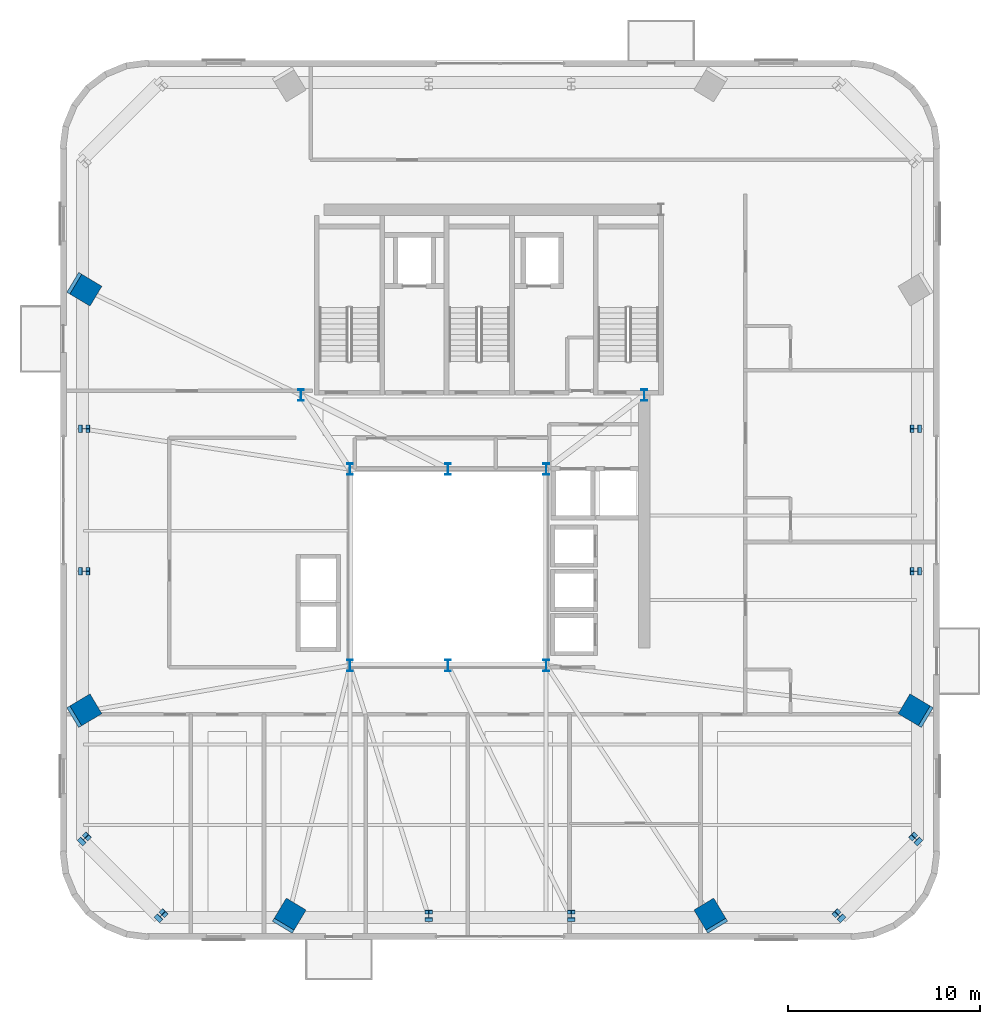
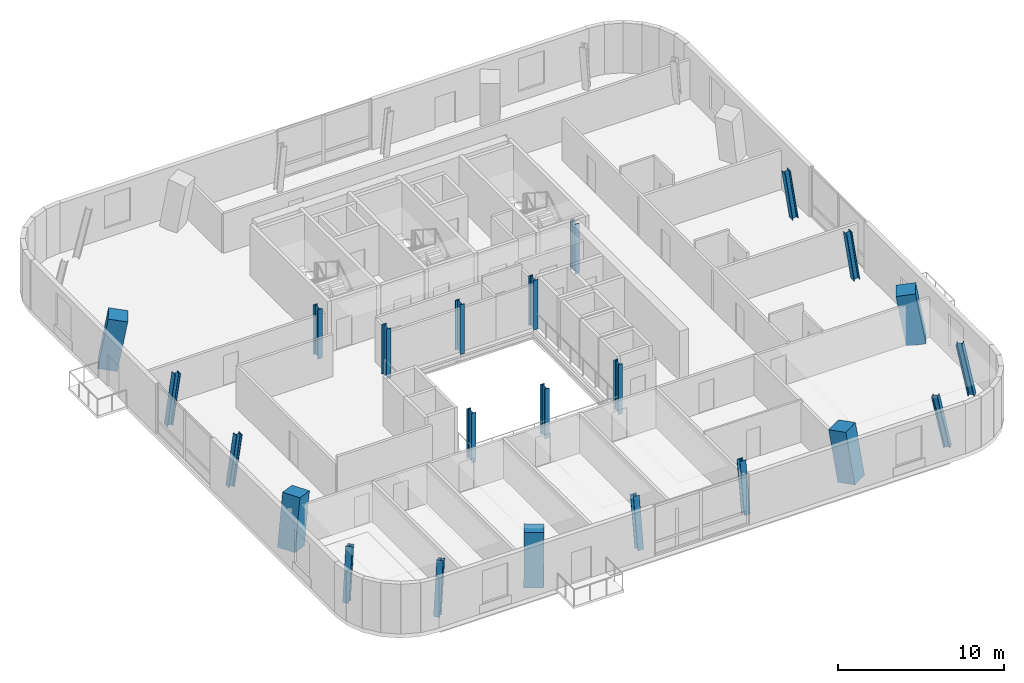
# One storey, part 1 of 15: 23 columns.
"""IFC4 building model written with IfcOpenShell, lengths in metres."""

from ifc_helpers import new_model, si_unit, direction, frame, origin, origin_2d, place, context, subcontext, project, spatial, rectangle, i_section, extrude, source, transform, mapped, material, material_profile, profile_set, type_object, element, save


model = new_model("IFC4")

# Units and contexts
model_context = context("Model", 3, precision=1e-05, world=origin(), true_north=direction((0.0, 1.0)))
body_context = subcontext(model_context, "Body", "Model", "MODEL_VIEW")
ifc_project = project(units=[si_unit("LENGTHUNIT", "METRE"), si_unit("AREAUNIT", "SQUARE_METRE"), si_unit("VOLUMEUNIT", "CUBIC_METRE"), si_unit("PLANEANGLEUNIT", "RADIAN"), si_unit("MASSUNIT", "GRAM", prefix="KILO")], contexts=[model_context])

# Site, building, storey
site_placement = place(None, origin())
site = spatial("IfcSite", under=ifc_project, at=site_placement, CompositionType="ELEMENT")
building_placement = place(site_placement, origin())
building = spatial("IfcBuilding", under=site, at=building_placement, Name="Vardaveli Station Tower", CompositionType="ELEMENT")
storey_placement = place(building_placement, frame((0.0, 0.0, 258.5)))
storey = spatial("IfcBuildingStorey", under=building, at=storey_placement, Name="L66", CompositionType="ELEMENT", Elevation=258.5)

# Columns
ifc_material_1 = material(Name="Structural steel S460M", Category="steel")
ifc_material_profile_1 = material_profile(ifc_material_1, i_section(OverallWidth=0.300048828125, OverallDepth=0.60009765625, WebThickness=0.015380859375, FlangeThickness=0.030029296875, FilletRadius=0.027099609375, at=origin_2d()), Name="HEB 600")
ifc_profile_set_1 = profile_set([ifc_material_profile_1], Name="Structural steel S460M")
column_type_1 = type_object("IfcColumnType", Name="COL-HEB600", PredefinedType="COLUMN", material=ifc_profile_set_1)
shared_shape_1 = source(origin(), body_context, "Body", "SweptSolid", [
    extrude(i_section(OverallWidth=0.300048828125, OverallDepth=0.60009765625, WebThickness=0.015380859375, FlangeThickness=0.030029296875, FilletRadius=0.027099609375, at=origin_2d()), origin(), (0.0, 0.0, 1.0), 3.64990234375),
])
for number, where, z_axis, x_axis, name in (
    (1, (31.199951171875, 16.60009765625, 0.0), (0.0, 0.0, 1.0), (1.0, 0.0, 0.0), "COL-L66-AC1"),
    (2, (36.300048828125, 16.60009765625, 0.0), (0.0, 0.0, 1.0), (1.0, 0.0, 0.0), "COL-L66-AC2"),
    (3, (41.39990234375, 16.60009765625, 0.0), (0.0, 0.0, 1.0), (1.0, 0.0, 0.0), "COL-L66-AC3"),
    (4, (41.39990234375, 26.800048828125, 0.0), (0.0, 0.0, 1.0), (1.0, 0.0, 0.0), "COL-L66-AC4"),
    (5, (36.300048828125, 26.800048828125, 0.0), (0.0, 0.0, 1.0), (1.0, 0.0, 0.0), "COL-L66-AC5"),
    (6, (31.199951171875, 26.800048828125, 0.0), (0.0, 0.0, 1.0), (1.0, 0.0, 0.0), "COL-L66-AC6"),
    (7, (28.64990234375, 30.64990234375, 0.0), (0.0, 0.0, 1.0), (1.0, 0.0, 0.0), "COL-L66-CC1"),
    (8, (46.5, 30.64990234375, 0.0), (0.0, 0.0, 1.0), (1.0, 0.0, 0.0), "COL-L66-CC2"),
):
    element("IfcColumn", number, at=place(storey_placement, frame(where, z_axis=z_axis, x_axis=x_axis)), inside=storey, type_object=column_type_1, Name=name, PredefinedType="COLUMN", context=body_context, shape_type="MappedRepresentation", body=[
        mapped(shared_shape_1, transform((0.0, 0.0, 0.0), scale=1.0)),
    ])
ifc_material_2 = material(Name="Concrete C50/60", Category="concrete")
ifc_material_profile_2 = material_profile(ifc_material_2, rectangle(XDim=1.199951171875, YDim=1.199951171875, at=origin_2d()), Name="MC 1200x1200")
ifc_profile_set_2 = profile_set([ifc_material_profile_2], Name="Concrete C50/60")
column_type_2 = type_object("IfcColumnType", Name="COL-MC-1200", PredefinedType="COLUMN", material=ifc_profile_set_2)
shared_shape_2 = source(origin(), body_context, "Body", "SweptSolid", [
    extrude(rectangle(XDim=1.199951171875, YDim=1.199951171875, at=origin_2d()), origin(), (0.0, 0.0, 1.0), 3.703857421875),
])
for number, where, z_axis, x_axis, name in (
    (9, (27.98388671875, 3.489990234375, 0.0), (0.087535469942, 0.145804562886, 0.985433189488), (-0.857356097812, 0.514723733225, 0.0), "COL-L66-MC1"),
    (10, (50.01611328125, 3.489990234375, 0.0), (-0.087535469942, 0.145804562886, 0.985433189488), (-0.857356097812, -0.514723733225, 0.0), "COL-L66-MC2"),
    (11, (60.7099609375, 14.18408203125, 0.0), (-0.145805403858, 0.087470059186, 0.98543887327), (-0.514438743924, -0.857527130037, 0.0), "COL-L66-MC3"),
    (12, (17.2900390625, 36.216064453125, 0.0), (0.145805403858, -0.087470059186, 0.98543887327), (0.514438743924, 0.857527130037, 0.0), "COL-L66-MC7"),
    (13, (17.2900390625, 14.18408203125, 0.0), (0.145805403858, 0.087470059186, 0.98543887327), (-0.514438743924, 0.857527130037, 0.0), "COL-L66-MC8"),
):
    element("IfcColumn", number, at=place(storey_placement, frame(where, z_axis=z_axis, x_axis=x_axis)), inside=storey, type_object=column_type_2, Name=name, PredefinedType="COLUMN", context=body_context, shape_type="MappedRepresentation", body=[
        mapped(shared_shape_2, transform((0.0, 0.0, 0.0), scale=1.0)),
    ])
ifc_material_profile_3 = material_profile(ifc_material_1, i_section(OverallWidth=0.405029296875, OverallDepth=0.403076171875, WebThickness=0.017822265625, FlangeThickness=0.02783203125, FilletRadius=0.014892578125, at=origin_2d()), Name="HD 400x287")
ifc_profile_set_3 = profile_set([ifc_material_profile_3], Name="Structural steel S460M")
column_type_3 = type_object("IfcColumnType", Name="COL-HD287", PredefinedType="COLUMN", material=ifc_profile_set_3)
shared_shape_3 = source(origin(), body_context, "Body", "SweptSolid", [
    extrude(i_section(OverallWidth=0.405029296875, OverallDepth=0.403076171875, WebThickness=0.017822265625, FlangeThickness=0.02783203125, FilletRadius=0.014892578125, at=origin_2d()), origin(), (0.0, 0.0, 1.0), 3.72900390625),
])
for number, where, z_axis, x_axis, name in (
    (14, (21.2900390625, 3.489990234375, 0.0), (0.144823340775, 0.144823340775, 0.97880151202), (-0.707106781187, 0.707106781187, 0.0), "COL-L66-PC01"),
    (15, (56.7099609375, 3.489990234375, 0.0), (-0.144823340775, 0.144823340775, 0.97880151202), (-0.707106781187, -0.707106781187, 0.0), "COL-L66-PC04"),
    (16, (60.7099609375, 7.489990234375, 0.0), (-0.144823340775, 0.144823340775, 0.97880151202), (-0.707106781187, -0.707106781187, 0.0), "COL-L66-PC05"),
    (17, (17.2900390625, 7.489990234375, 0.0), (0.144823340775, 0.144823340775, 0.97880151202), (-0.707106781187, 0.707106781187, 0.0), "COL-L66-PC16"),
):
    element("IfcColumn", number, at=place(storey_placement, frame(where, z_axis=z_axis, x_axis=x_axis)), inside=storey, type_object=column_type_3, Name=name, PredefinedType="COLUMN", context=body_context, shape_type="MappedRepresentation", body=[
        mapped(shared_shape_3, transform((0.0, 0.0, 0.0), scale=1.0)),
    ])
shared_shape_4 = source(origin(), body_context, "Body", "SweptSolid", [
    extrude(i_section(OverallWidth=0.405029296875, OverallDepth=0.403076171875, WebThickness=0.017822265625, FlangeThickness=0.02783203125, FilletRadius=0.014892578125, at=origin_2d()), origin(), (0.0, 0.0, 1.0), 3.689697265625),
])
for number, where, z_axis, x_axis, name in (
    (18, (35.300048828125, 3.489990234375, 0.0), (0.0, 0.146366404478, 0.989230446175), (-1.0, 0.0, 0.0), "COL-L66-PC02"),
    (19, (42.699951171875, 3.489990234375, 0.0), (0.0, 0.146366404478, 0.989230446175), (-1.0, 0.0, 0.0), "COL-L66-PC03"),
    (20, (60.7099609375, 21.5, 0.0), (-0.146366404478, 0.0, 0.989230446175), (0.0, -1.0, 0.0), "COL-L66-PC06"),
    (21, (60.7099609375, 28.89990234375, 0.0), (-0.146366404478, 0.0, 0.989230446175), (0.0, -1.0, 0.0), "COL-L66-PC07"),
    (22, (17.2900390625, 28.89990234375, 0.0), (0.146366404478, 0.0, 0.989230446175), (0.0, 1.0, 0.0), "COL-L66-PC14"),
    (23, (17.2900390625, 21.5, 0.0), (0.146366404478, 0.0, 0.989230446175), (0.0, 1.0, 0.0), "COL-L66-PC15"),
):
    element("IfcColumn", number, at=place(storey_placement, frame(where, z_axis=z_axis, x_axis=x_axis)), inside=storey, type_object=column_type_3, Name=name, PredefinedType="COLUMN", context=body_context, shape_type="MappedRepresentation", body=[
        mapped(shared_shape_4, transform((0.0, 0.0, 0.0), scale=1.0)),
    ])

save(model, "model.ifc")
